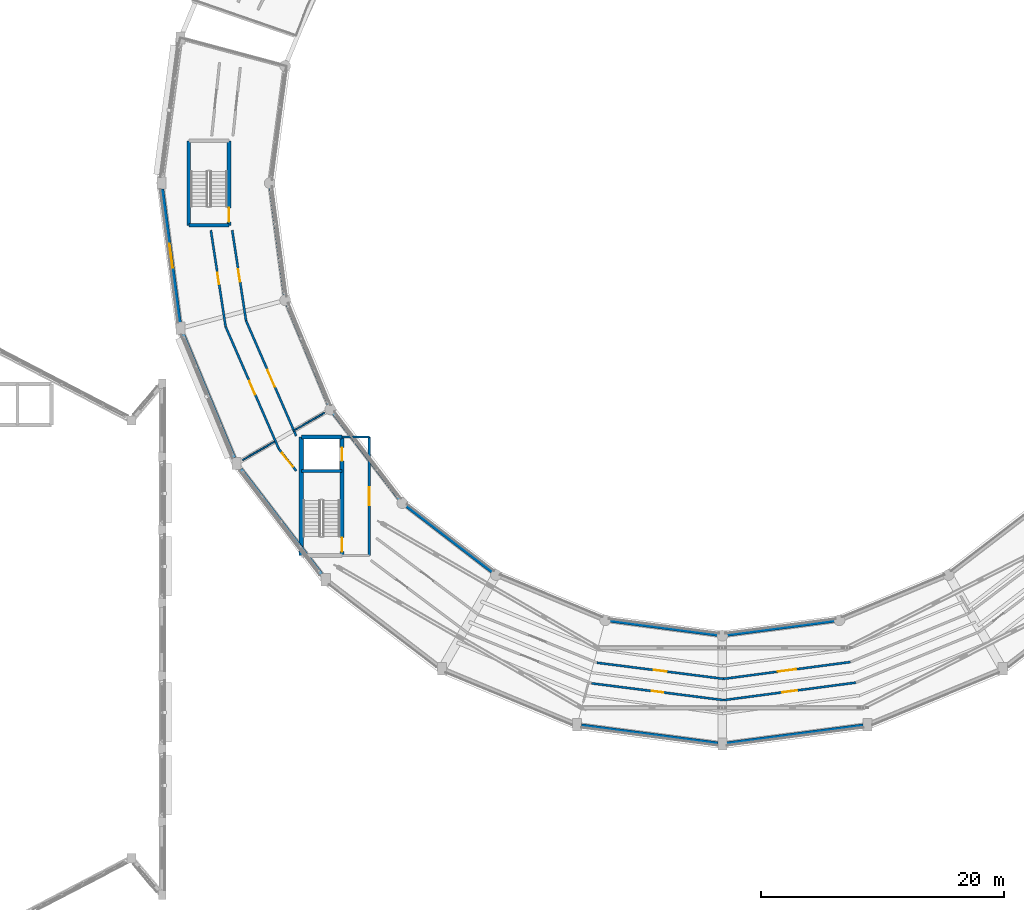
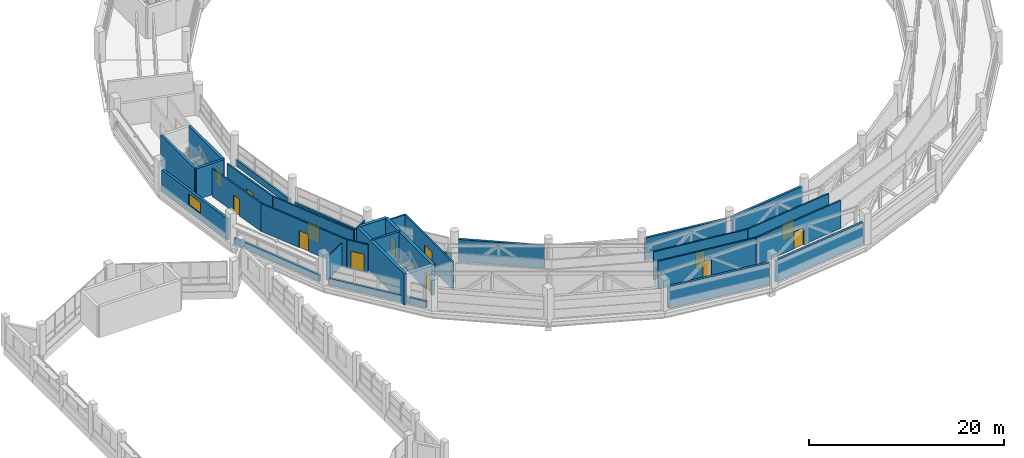
# One storey, part 101 of 121: 31 walls, 13 doors, 1 window, 14 openings.
"""IFC4 building model written with IfcOpenShell, lengths in metres."""

from ifc_helpers import new_model, si_unit, direction, frame, frame_2d, origin, place, context, subcontext, project, spatial, rectangle, extrude, material, layer, layer_set, type_object, element, fill, save


model = new_model("IFC4")

# Units and contexts
model_context = context("Model", 3, precision=1e-05, world=origin(), true_north=direction((0.0, 1.0)))
body_context = subcontext(model_context, "Body", "Model", "MODEL_VIEW")
ifc_project = project(units=[si_unit("LENGTHUNIT", "METRE"), si_unit("AREAUNIT", "SQUARE_METRE"), si_unit("VOLUMEUNIT", "CUBIC_METRE"), si_unit("PLANEANGLEUNIT", "RADIAN"), si_unit("MASSUNIT", "GRAM", prefix="KILO")], contexts=[model_context])

# Site, building, storey
site_placement = place(None, origin())
site = spatial("IfcSite", under=ifc_project, at=site_placement, CompositionType="ELEMENT")
building_placement = place(site_placement, origin())
building = spatial("IfcBuilding", under=site, at=building_placement, Name="Vespera Passage Community Centre", CompositionType="ELEMENT")
storey_placement = place(building_placement, frame((0.0, 0.0, 8.699951171875)))
storey = spatial("IfcBuildingStorey", under=building, at=storey_placement, Name="L02", CompositionType="ELEMENT", Elevation=8.699951171875)

# Wall, opening, door
ifc_material_1 = material(Name="Concrete f'c 45 MPa", Category="concrete")
ifc_layer_1 = layer(ifc_material_1, 0.300048828125)
ifc_layer_set_1 = layer_set([ifc_layer_1], Name="Concrete f'c 45 MPa")
wall_type_1 = type_object("IfcWallType", Name="WT-CORE-300I", PredefinedType="SHEAR", material=ifc_layer_set_1)
wall_1_placement = place(storey_placement, frame((37.449951171875, 68.97509765625, 0.0), z_axis=(0.0, 0.0, 1.0), x_axis=(0.0, -1.0, 0.0)))
wall_1 = element("IfcWall", 1, at=wall_1_placement, inside=storey, type_object=wall_type_1, Name="Core C2 L02 Shear Wall FRONT", PredefinedType="SHEAR", context=body_context, shape_type="SweptSolid", body=[
    extrude(rectangle(XDim=6.9501953125, YDim=0.300048828125, at=frame_2d((3.47509765625, 0.0))), origin(), (0.0, 0.0, 1.0), 3.900146484375),
])
opening_1_placement = place(wall_1_placement, frame((5.5048828125, 0.0, 0.0)))
opening_1 = element("IfcOpeningElement", 2, at=opening_1_placement, cuts=wall_1, Name="Opening DT-STAIR-90", PredefinedType="OPENING", context=body_context, shape_type="SweptSolid", body=[
    extrude(rectangle(XDim=1.14990234375, YDim=2.14990234375, at=frame_2d((0.574951171875, 1.074951171875))), frame((0.0, 0.159912109375, 0.0), z_axis=(0.0, -1.0, 0.0), x_axis=(1.0, 0.0, 0.0)), (0.0, 0.0, 1.0), 0.320068359375),
])
ifc_material_2 = material(Name="Painted hollow-metal acoustic door", Category="steel")
door_type_1 = type_object("IfcDoorType", Name="DT-STAIR-90", OperationType="NOTDEFINED", PredefinedType="DOOR", material=ifc_material_2)
door_1_placement = place(opening_1_placement, origin())
door_1 = element("IfcDoor", 3, at=door_1_placement, inside=storey, type_object=door_type_1, Name="Core C2 L02 Exit Stair Door D-067", OperationType="SINGLE_SWING_LEFT", OverallHeight=2.14990234375, OverallWidth=1.14990234375, PredefinedType="DOOR", context=body_context, shape_type="SweptSolid", body=[
    extrude(rectangle(XDim=1.14990234375, YDim=2.14990234375, at=frame_2d((0.574951171875, 1.074951171875))), frame((0.0, 0.02490234375, 0.0), z_axis=(0.0, -1.0, 0.0), x_axis=(1.0, 0.0, 0.0)), (0.0, 0.0, 1.0), 0.050048828125),
])
fill(opening_1, door_1)

# Walls
wall_2_placement = place(storey_placement, frame((37.449951171875, 62.02490234375, 0.0), z_axis=(0.0, 0.0, 1.0), x_axis=(-1.0, 0.0, 0.0)))
element("IfcWall", 4, at=wall_2_placement, inside=storey, type_object=wall_type_1, Name="Core C2 L02 Shear Wall LEFT", PredefinedType="SHEAR", context=body_context, shape_type="SweptSolid", body=[
    extrude(rectangle(XDim=3.300048828125, YDim=0.300048828125, at=frame_2d((1.64990234375, 0.0))), origin(), (0.0, 0.0, 1.0), 3.900146484375),
])
wall_3_placement = place(storey_placement, frame((34.14990234375, 62.02490234375, 0.0), z_axis=(0.0, 0.0, 1.0), x_axis=(0.0, 1.0, 0.0)))
element("IfcWall", 5, at=wall_3_placement, inside=storey, type_object=wall_type_1, Name="Core C2 L02 Shear Wall BACK", PredefinedType="SHEAR", context=body_context, shape_type="SweptSolid", body=[
    extrude(rectangle(XDim=6.9501953125, YDim=0.300048828125, at=frame_2d((3.47509765625, 0.0))), origin(), (0.0, 0.0, 1.0), 3.900146484375),
])

# Wall, openings, doors
ifc_material_3 = material(Name="Concrete f'c 45 MPa", Category="concrete")
ifc_layer_2 = layer(ifc_material_3, 0.340087890625)
ifc_layer_set_2 = layer_set([ifc_layer_2], Name="Concrete f'c 45 MPa")
wall_type_2 = type_object("IfcWallType", Name="WT-CORE-340I", PredefinedType="SHEAR", material=ifc_layer_set_2)
wall_4_placement = place(storey_placement, frame((46.73095703125, 44.6298828125, 0.0), z_axis=(0.0, 0.0, 1.0), x_axis=(0.0, -1.0, 0.0)))
wall_4 = element("IfcWall", 6, at=wall_4_placement, inside=storey, type_object=wall_type_2, Name="Core C3 L02 Shear Wall FRONT", PredefinedType="SHEAR", context=body_context, shape_type="SweptSolid", body=[
    extrude(rectangle(XDim=9.72998046875, YDim=0.340087890625, at=frame_2d((4.864990234375, 0.0))), origin(), (0.0, 0.0, 1.0), 3.900146484375),
])
opening_2_placement = place(wall_4_placement, frame((8.264892578125, 0.0, 0.0)))
opening_2 = element("IfcOpeningElement", 7, at=opening_2_placement, cuts=wall_4, Name="Opening DT-STAIR-90", PredefinedType="OPENING", context=body_context, shape_type="SweptSolid", body=[
    extrude(rectangle(XDim=1.14990234375, YDim=2.14990234375, at=frame_2d((0.574951171875, 1.074951171875))), frame((0.0, 0.179931640625, 0.0), z_axis=(0.0, -1.0, 0.0), x_axis=(1.0, 0.0, 0.0)), (0.0, 0.0, 1.0), 0.360107421875),
])
opening_3_placement = place(wall_4_placement, frame((0.8701171875, 0.0, 0.0)))
opening_3 = element("IfcOpeningElement", 8, at=opening_3_placement, cuts=wall_4, Name="Opening DT-LIFT-110", PredefinedType="OPENING", context=body_context, shape_type="SweptSolid", body=[
    extrude(rectangle(XDim=1.10009765625, YDim=2.14990234375, at=frame_2d((0.550048828125, 1.074951171875))), frame((0.0, 0.179931640625, 0.0), z_axis=(0.0, -1.0, 0.0), x_axis=(1.0, 0.0, 0.0)), (0.0, 0.0, 1.0), 0.360107421875),
])
ifc_material_4 = material(Name="Painted hollow-metal acoustic door", Category="steel")
door_type_2 = type_object("IfcDoorType", Name="DT-LIFT-110", OperationType="NOTDEFINED", PredefinedType="DOOR", material=ifc_material_4)
door_2_placement = place(opening_3_placement, origin())
door_2 = element("IfcDoor", 9, at=door_2_placement, inside=storey, type_object=door_type_2, Name="Elevator EL-01 L02 Landing Door LD-012", OperationType="SLIDING_TO_LEFT", OverallHeight=2.14990234375, OverallWidth=1.10009765625, PredefinedType="DOOR", context=body_context, shape_type="SweptSolid", body=[
    extrude(rectangle(XDim=1.10009765625, YDim=2.14990234375, at=frame_2d((0.550048828125, 1.074951171875))), frame((0.0, 0.02490234375, 0.0), z_axis=(0.0, -1.0, 0.0), x_axis=(1.0, 0.0, 0.0)), (0.0, 0.0, 1.0), 0.050048828125),
])
fill(opening_3, door_2)
door_3_placement = place(opening_2_placement, origin())
door_3 = element("IfcDoor", 10, at=door_3_placement, inside=storey, type_object=door_type_1, Name="Core C3 L02 Exit Stair Door D-078", OperationType="SINGLE_SWING_RIGHT", OverallHeight=2.14990234375, OverallWidth=1.14990234375, PredefinedType="DOOR", context=body_context, shape_type="SweptSolid", body=[
    extrude(rectangle(XDim=1.14990234375, YDim=2.14990234375, at=frame_2d((0.574951171875, 1.074951171875))), frame((0.0, 0.02490234375, 0.0), z_axis=(0.0, -1.0, 0.0), x_axis=(1.0, 0.0, 0.0)), (0.0, 0.0, 1.0), 0.050048828125),
])
fill(opening_2, door_3)

# Walls
wall_5_placement = place(storey_placement, frame((43.39111328125, 34.89990234375, 0.0), z_axis=(0.0, 0.0, 1.0), x_axis=(0.0, 1.0, 0.0)))
element("IfcWall", 11, at=wall_5_placement, inside=storey, type_object=wall_type_2, Name="Core C3 L02 Shear Wall BACK", PredefinedType="SHEAR", context=body_context, shape_type="SweptSolid", body=[
    extrude(rectangle(XDim=9.72998046875, YDim=0.340087890625, at=frame_2d((4.864990234375, 0.0))), origin(), (0.0, 0.0, 1.0), 3.900146484375),
])
wall_6_placement = place(storey_placement, frame((43.39111328125, 44.6298828125, 0.0), z_axis=(0.0, 0.0, 1.0), x_axis=(1.0, 0.0, 0.0)))
element("IfcWall", 12, at=wall_6_placement, inside=storey, type_object=wall_type_2, Name="Core C3 L02 Shear Wall RIGHT", PredefinedType="SHEAR", context=body_context, shape_type="SweptSolid", body=[
    extrude(rectangle(XDim=3.33984375, YDim=0.340087890625, at=frame_2d((1.669921875, 0.0))), origin(), (0.0, 0.0, 1.0), 3.900146484375),
])

# Wall, opening, door
ifc_material_5 = material(Name="Gypsum board acoustic stud partition")
ifc_layer_3 = layer(ifc_material_5, 0.179931640625)
ifc_layer_set_3 = layer_set([ifc_layer_3], Name="Gypsum board acoustic stud partition")
wall_type_3 = type_object("IfcWallType", Name="WT-CORR-180I", PredefinedType="PARTITIONING", material=ifc_layer_set_3)
wall_7_placement = place(storey_placement, frame((48.98095703125, 34.89990234375, 0.0), z_axis=(0.0, 0.0, 1.0), x_axis=(0.0, 1.0, 0.0)))
wall_7 = element("IfcWall", 13, at=wall_7_placement, inside=storey, type_object=wall_type_3, Name="Core C3 L02 Lift Lobby Front Wall", PredefinedType="PARTITIONING", context=body_context, shape_type="SweptSolid", body=[
    extrude(rectangle(XDim=9.72998046875, YDim=0.179931640625, at=frame_2d((4.864990234375, 0.0))), origin(), (0.0, 0.0, 1.0), 3.4951171875),
])
opening_4_placement = place(wall_7_placement, frame((4.114990234375, 0.0, 0.0)))
opening_4 = element("IfcOpeningElement", 14, at=opening_4_placement, cuts=wall_7, Name="Opening DT-CORR-150", PredefinedType="OPENING", context=body_context, shape_type="SweptSolid", body=[
    extrude(rectangle(XDim=1.5, YDim=2.14990234375, at=frame_2d((0.75, 1.074951171875))), frame((0.0, 0.099853515625, 0.0), z_axis=(0.0, -1.0, 0.0), x_axis=(1.0, 0.0, 0.0)), (0.0, 0.0, 1.0), 0.199951171875),
])
ifc_material_6 = material(Name="Painted hollow-metal acoustic door", Category="steel")
door_type_3 = type_object("IfcDoorType", Name="DT-CORR-150", OperationType="NOTDEFINED", PredefinedType="DOOR", material=ifc_material_6)
door_4_placement = place(opening_4_placement, origin())
door_4 = element("IfcDoor", 15, at=door_4_placement, inside=storey, type_object=door_type_3, Name="Core C3 L02 Lift Lobby Door D-079", OperationType="SINGLE_SWING_LEFT", OverallHeight=2.14990234375, OverallWidth=1.5, PredefinedType="DOOR", context=body_context, shape_type="SweptSolid", body=[
    extrude(rectangle(XDim=1.5, YDim=2.14990234375, at=frame_2d((0.75, 1.074951171875))), frame((0.0, 0.02490234375, 0.0), z_axis=(0.0, -1.0, 0.0), x_axis=(1.0, 0.0, 0.0)), (0.0, 0.0, 1.0), 0.050048828125),
])
fill(opening_4, door_4)

# Wall
wall_8_placement = place(storey_placement, frame((46.73095703125, 44.6298828125, 0.0), z_axis=(0.0, 0.0, 1.0), x_axis=(1.0, 0.0, 0.0)))
element("IfcWall", 16, at=wall_8_placement, inside=storey, type_object=wall_type_3, Name="Core C3 L02 Lift Lobby Side Wall R", PredefinedType="PARTITIONING", context=body_context, shape_type="SweptSolid", body=[
    extrude(rectangle(XDim=2.25, YDim=0.179931640625, at=frame_2d((1.125, 0.0))), origin(), (0.0, 0.0, 1.0), 3.4951171875),
])

# Wall, opening, door
wall_9_placement = place(storey_placement, frame((35.956298828125, 61.625, 0.0), z_axis=(0.0, 0.0, 1.0), x_axis=(0.151461983826, -0.988463083507, 0.0)))
wall_9 = element("IfcWall", 17, at=wall_9_placement, inside=storey, type_object=wall_type_3, Name="L02 Interior Partition V4-L02-CO13.1", PredefinedType="PARTITIONING", context=body_context, shape_type="SweptSolid", body=[
    extrude(rectangle(XDim=8.014404296875, YDim=0.179931640625, at=frame_2d((4.00732421875, 0.0))), origin(), (0.0, 0.0, 1.0), 3.4951171875),
])
opening_5_placement = place(wall_9_placement, frame((3.531982421875, 0.0, 0.0)))
opening_5 = element("IfcOpeningElement", 18, at=opening_5_placement, cuts=wall_9, Name="Opening DT-CORR-95", PredefinedType="OPENING", context=body_context, shape_type="SweptSolid", body=[
    extrude(rectangle(XDim=0.949951171875, YDim=2.10009765625, at=frame_2d((0.47509765625, 1.050048828125))), frame((0.0, 0.099853515625, 0.0), z_axis=(0.0, -1.0, 0.0), x_axis=(1.0, 0.0, 0.0)), (0.0, 0.0, 1.0), 0.199951171875),
])
ifc_material_7 = material(Name="Painted hollow-metal acoustic door", Category="steel")
door_type_4 = type_object("IfcDoorType", Name="DT-CORR-95", OperationType="NOTDEFINED", PredefinedType="DOOR", material=ifc_material_7)
door_5_placement = place(opening_5_placement, origin())
door_5 = element("IfcDoor", 19, at=door_5_placement, inside=storey, type_object=door_type_4, Name="L02 Interior Door D-203", OperationType="SINGLE_SWING_LEFT", OverallHeight=2.10009765625, OverallWidth=0.949951171875, PredefinedType="DOOR", context=body_context, shape_type="SweptSolid", body=[
    extrude(rectangle(XDim=0.949951171875, YDim=2.10009765625, at=frame_2d((0.47509765625, 1.050048828125))), frame((0.0, 0.02490234375, 0.0), z_axis=(0.0, -1.0, 0.0), x_axis=(1.0, 0.0, 0.0)), (0.0, 0.0, 1.0), 0.050048828125),
])
fill(opening_5, door_5)

wall_10_placement = place(storey_placement, frame((37.7119140625, 61.625, 0.0), z_axis=(0.0, 0.0, 1.0), x_axis=(0.151459677587, -0.988463436888, 0.0)))
wall_10 = element("IfcWall", 20, at=wall_10_placement, inside=storey, type_object=wall_type_3, Name="L02 Interior Partition V4-L02-CI13.1", PredefinedType="PARTITIONING", context=body_context, shape_type="SweptSolid", body=[
    extrude(rectangle(XDim=7.522705078125, YDim=0.179931640625, at=frame_2d((3.76123046875, 0.0))), origin(), (0.0, 0.0, 1.0), 3.4951171875),
])
opening_6_placement = place(wall_10_placement, frame((3.236328125, 0.0, 0.0)))
opening_6 = element("IfcOpeningElement", 21, at=opening_6_placement, cuts=wall_10, Name="Opening DT-CORR-105", PredefinedType="OPENING", context=body_context, shape_type="SweptSolid", body=[
    extrude(rectangle(XDim=1.050048828125, YDim=2.10009765625, at=frame_2d((0.52490234375, 1.050048828125))), frame((0.0, 0.099853515625, 0.0), z_axis=(0.0, -1.0, 0.0), x_axis=(1.0, 0.0, 0.0)), (0.0, 0.0, 1.0), 0.199951171875),
])
ifc_material_8 = material(Name="Painted hollow-metal acoustic door", Category="steel")
door_type_5 = type_object("IfcDoorType", Name="DT-CORR-105", OperationType="NOTDEFINED", PredefinedType="DOOR", material=ifc_material_8)
door_6_placement = place(opening_6_placement, origin())
door_6 = element("IfcDoor", 22, at=door_6_placement, inside=storey, type_object=door_type_5, Name="L02 Interior Door D-204", OperationType="SINGLE_SWING_RIGHT", OverallHeight=2.10009765625, OverallWidth=1.050048828125, PredefinedType="DOOR", context=body_context, shape_type="SweptSolid", body=[
    extrude(rectangle(XDim=1.050048828125, YDim=2.10009765625, at=frame_2d((0.52490234375, 1.050048828125))), frame((0.0, 0.02490234375, 0.0), z_axis=(0.0, -1.0, 0.0), x_axis=(1.0, 0.0, 0.0)), (0.0, 0.0, 1.0), 0.050048828125),
])
fill(opening_6, door_6)

wall_11_placement = place(storey_placement, frame((37.170166015625, 53.703125, 0.0), z_axis=(0.0, 0.0, 1.0), x_axis=(0.399051288183, -0.91692860649, 0.0)))
wall_11 = element("IfcWall", 23, at=wall_11_placement, inside=storey, type_object=wall_type_3, Name="L02 Interior Partition V4-L02-CO14.1", PredefinedType="PARTITIONING", context=body_context, shape_type="SweptSolid", body=[
    extrude(rectangle(XDim=10.953125, YDim=0.179931640625, at=frame_2d((5.4765625, 0.0))), origin(), (0.0, 0.0, 1.0), 3.4951171875),
])
opening_7_placement = place(wall_11_placement, frame((4.876708984375, 0.0, 0.0)))
opening_7 = element("IfcOpeningElement", 24, at=opening_7_placement, cuts=wall_11, Name="Opening DT-CORR-120", PredefinedType="OPENING", context=body_context, shape_type="SweptSolid", body=[
    extrude(rectangle(XDim=1.199951171875, YDim=2.14990234375, at=frame_2d((0.60009765625, 1.074951171875))), frame((0.0, 0.099853515625, 0.0), z_axis=(0.0, -1.0, 0.0), x_axis=(1.0, 0.0, 0.0)), (0.0, 0.0, 1.0), 0.199951171875),
])
ifc_material_9 = material(Name="Painted hollow-metal acoustic door", Category="steel")
door_type_6 = type_object("IfcDoorType", Name="DT-CORR-120", OperationType="NOTDEFINED", PredefinedType="DOOR", material=ifc_material_9)
door_7_placement = place(opening_7_placement, origin())
door_7 = element("IfcDoor", 25, at=door_7_placement, inside=storey, type_object=door_type_6, Name="L02 Interior Door D-205", OperationType="SINGLE_SWING_LEFT", OverallHeight=2.14990234375, OverallWidth=1.199951171875, PredefinedType="DOOR", context=body_context, shape_type="SweptSolid", body=[
    extrude(rectangle(XDim=1.199951171875, YDim=2.14990234375, at=frame_2d((0.60009765625, 1.074951171875))), frame((0.0, 0.02490234375, 0.0), z_axis=(0.0, -1.0, 0.0), x_axis=(1.0, 0.0, 0.0)), (0.0, 0.0, 1.0), 0.050048828125),
])
fill(opening_7, door_7)

wall_12_placement = place(storey_placement, frame((38.851318359375, 54.18896484375, 0.0), z_axis=(0.0, 0.0, 1.0), x_axis=(0.399047769042, -0.916930138027, 0.0)))
wall_12 = element("IfcWall", 26, at=wall_12_placement, inside=storey, type_object=wall_type_3, Name="L02 Interior Partition V4-L02-CI14.1", PredefinedType="PARTITIONING", context=body_context, shape_type="SweptSolid", body=[
    extrude(rectangle(XDim=10.32373046875, YDim=0.179931640625, at=frame_2d((5.161865234375, 0.0))), origin(), (0.0, 0.0, 1.0), 3.4951171875),
])
opening_8_placement = place(wall_12_placement, frame((4.411865234375, 0.0, 0.0)))
opening_8 = element("IfcOpeningElement", 27, at=opening_8_placement, cuts=wall_12, Name="Opening DT-CORR-150", PredefinedType="OPENING", context=body_context, shape_type="SweptSolid", body=[
    extrude(rectangle(XDim=1.5, YDim=2.14990234375, at=frame_2d((0.75, 1.074951171875))), frame((0.0, 0.099853515625, 0.0), z_axis=(0.0, -1.0, 0.0), x_axis=(1.0, 0.0, 0.0)), (0.0, 0.0, 1.0), 0.199951171875),
])
door_8_placement = place(opening_8_placement, origin())
door_8 = element("IfcDoor", 28, at=door_8_placement, inside=storey, type_object=door_type_3, Name="L02 Interior Door D-206", OperationType="SINGLE_SWING_RIGHT", OverallHeight=2.14990234375, OverallWidth=1.5, PredefinedType="DOOR", context=body_context, shape_type="SweptSolid", body=[
    extrude(rectangle(XDim=1.5, YDim=2.14990234375, at=frame_2d((0.75, 1.074951171875))), frame((0.0, 0.02490234375, 0.0), z_axis=(0.0, -1.0, 0.0), x_axis=(1.0, 0.0, 0.0)), (0.0, 0.0, 1.0), 0.050048828125),
])
fill(opening_8, door_8)

wall_13_placement = place(storey_placement, frame((41.541015625, 43.659912109375, 0.0), z_axis=(0.0, 0.0, 1.0), x_axis=(0.620100740375, -0.784522193304, 0.0)))
wall_13 = element("IfcWall", 29, at=wall_13_placement, inside=storey, type_object=wall_type_3, Name="L02 Interior Partition V4-L02-CO15.1", PredefinedType="PARTITIONING", context=body_context, shape_type="SweptSolid", body=[
    extrude(rectangle(XDim=2.305908203125, YDim=0.179931640625, at=frame_2d((1.15283203125, 0.0))), origin(), (0.0, 0.0, 1.0), 3.4951171875),
])
opening_9_placement = place(wall_13_placement, frame((0.427978515625, 0.0, 0.0)))
opening_9 = element("IfcOpeningElement", 30, at=opening_9_placement, cuts=wall_13, Name="Opening DT-PLANT-145", PredefinedType="OPENING", context=body_context, shape_type="SweptSolid", body=[
    extrude(rectangle(XDim=1.449951171875, YDim=2.199951171875, at=frame_2d((0.72509765625, 1.10009765625))), frame((0.0, 0.099853515625, 0.0), z_axis=(0.0, -1.0, 0.0), x_axis=(1.0, 0.0, 0.0)), (0.0, 0.0, 1.0), 0.199951171875),
])
ifc_material_10 = material(Name="Painted hollow-metal acoustic door", Category="steel")
door_type_7 = type_object("IfcDoorType", Name="DT-PLANT-145", OperationType="NOTDEFINED", PredefinedType="DOOR", material=ifc_material_10)
door_9_placement = place(opening_9_placement, origin())
door_9 = element("IfcDoor", 31, at=door_9_placement, inside=storey, type_object=door_type_7, Name="L02 Interior Door D-207", OperationType="SINGLE_SWING_LEFT", OverallHeight=2.199951171875, OverallWidth=1.449951171875, PredefinedType="DOOR", context=body_context, shape_type="SweptSolid", body=[
    extrude(rectangle(XDim=1.449951171875, YDim=2.199951171875, at=frame_2d((0.72509765625, 1.10009765625))), frame((0.0, 0.02490234375, 0.0), z_axis=(0.0, -1.0, 0.0), x_axis=(1.0, 0.0, 0.0)), (0.0, 0.0, 1.0), 0.050048828125),
])
fill(opening_9, door_9)

wall_14_placement = place(storey_placement, frame((67.248291015625, 24.38232421875, 0.0), z_axis=(0.0, 0.0, 1.0), x_axis=(0.992007400361, -0.126179703713, 0.0)))
wall_14 = element("IfcWall", 32, at=wall_14_placement, inside=storey, type_object=wall_type_3, Name="L02 Interior Partition V4-L02-CO18.1", PredefinedType="PARTITIONING", context=body_context, shape_type="SweptSolid", body=[
    extrude(rectangle(XDim=10.953369140625, YDim=0.179931640625, at=frame_2d((5.4765625, 0.0))), origin(), (0.0, 0.0, 1.0), 3.4951171875),
])
opening_10_placement = place(wall_14_placement, frame((5.001708984375, 0.0, 0.0)))
opening_10 = element("IfcOpeningElement", 33, at=opening_10_placement, cuts=wall_14, Name="Opening DT-CORR-95", PredefinedType="OPENING", context=body_context, shape_type="SweptSolid", body=[
    extrude(rectangle(XDim=0.949951171875, YDim=2.10009765625, at=frame_2d((0.47509765625, 1.050048828125))), frame((0.0, 0.099853515625, 0.0), z_axis=(0.0, -1.0, 0.0), x_axis=(1.0, 0.0, 0.0)), (0.0, 0.0, 1.0), 0.199951171875),
])
door_10_placement = place(opening_10_placement, origin())
door_10 = element("IfcDoor", 34, at=door_10_placement, inside=storey, type_object=door_type_4, Name="L02 Interior Door D-212", OperationType="SINGLE_SWING_RIGHT", OverallHeight=2.10009765625, OverallWidth=0.949951171875, PredefinedType="DOOR", context=body_context, shape_type="SweptSolid", body=[
    extrude(rectangle(XDim=0.949951171875, YDim=2.10009765625, at=frame_2d((0.47509765625, 1.050048828125))), frame((0.0, 0.02490234375, 0.0), z_axis=(0.0, -1.0, 0.0), x_axis=(1.0, 0.0, 0.0)), (0.0, 0.0, 1.0), 0.050048828125),
])
fill(opening_10, door_10)

wall_15_placement = place(storey_placement, frame((67.691162109375, 26.075439453125, 0.0), z_axis=(0.0, 0.0, 1.0), x_axis=(0.992004051173, -0.126206031772, 0.0)))
wall_15 = element("IfcWall", 35, at=wall_15_placement, inside=storey, type_object=wall_type_3, Name="L02 Interior Partition V4-L02-CI18.1", PredefinedType="PARTITIONING", context=body_context, shape_type="SweptSolid", body=[
    extrude(rectangle(XDim=10.502197265625, YDim=0.179931640625, at=frame_2d((5.2509765625, 0.0))), origin(), (0.0, 0.0, 1.0), 3.4951171875),
])
opening_11_placement = place(wall_15_placement, frame((4.72607421875, 0.0, 0.0)))
opening_11 = element("IfcOpeningElement", 36, at=opening_11_placement, cuts=wall_15, Name="Opening DT-CORR-105", PredefinedType="OPENING", context=body_context, shape_type="SweptSolid", body=[
    extrude(rectangle(XDim=1.050048828125, YDim=2.10009765625, at=frame_2d((0.52490234375, 1.050048828125))), frame((0.0, 0.099853515625, 0.0), z_axis=(0.0, -1.0, 0.0), x_axis=(1.0, 0.0, 0.0)), (0.0, 0.0, 1.0), 0.199951171875),
])
door_11_placement = place(opening_11_placement, origin())
door_11 = element("IfcDoor", 37, at=door_11_placement, inside=storey, type_object=door_type_5, Name="L02 Interior Door D-213", OperationType="SINGLE_SWING_LEFT", OverallHeight=2.10009765625, OverallWidth=1.050048828125, PredefinedType="DOOR", context=body_context, shape_type="SweptSolid", body=[
    extrude(rectangle(XDim=1.050048828125, YDim=2.10009765625, at=frame_2d((0.52490234375, 1.050048828125))), frame((0.0, 0.02490234375, 0.0), z_axis=(0.0, -1.0, 0.0), x_axis=(1.0, 0.0, 0.0)), (0.0, 0.0, 1.0), 0.050048828125),
])
fill(opening_11, door_11)

wall_16_placement = place(storey_placement, frame((78.114013671875, 23.000244140625, 0.0), z_axis=(0.0, 0.0, 1.0), x_axis=(0.991312376735, 0.13152859663, 0.0)))
wall_16 = element("IfcWall", 38, at=wall_16_placement, inside=storey, type_object=wall_type_3, Name="L02 Interior Partition V4-L02-CO19.1", PredefinedType="PARTITIONING", context=body_context, shape_type="SweptSolid", body=[
    extrude(rectangle(XDim=10.953369140625, YDim=0.179931640625, at=frame_2d((5.4765625, 0.0))), origin(), (0.0, 0.0, 1.0), 3.4951171875),
])
opening_12_placement = place(wall_16_placement, frame((4.876708984375, 0.0, 0.0)))
opening_12 = element("IfcOpeningElement", 39, at=opening_12_placement, cuts=wall_16, Name="Opening DT-CORR-120", PredefinedType="OPENING", context=body_context, shape_type="SweptSolid", body=[
    extrude(rectangle(XDim=1.199951171875, YDim=2.14990234375, at=frame_2d((0.60009765625, 1.074951171875))), frame((0.0, 0.099853515625, 0.0), z_axis=(0.0, -1.0, 0.0), x_axis=(1.0, 0.0, 0.0)), (0.0, 0.0, 1.0), 0.199951171875),
])
door_12_placement = place(opening_12_placement, origin())
door_12 = element("IfcDoor", 40, at=door_12_placement, inside=storey, type_object=door_type_6, Name="L02 Interior Door D-214", OperationType="SINGLE_SWING_RIGHT", OverallHeight=2.14990234375, OverallWidth=1.199951171875, PredefinedType="DOOR", context=body_context, shape_type="SweptSolid", body=[
    extrude(rectangle(XDim=1.199951171875, YDim=2.14990234375, at=frame_2d((0.60009765625, 1.074951171875))), frame((0.0, 0.02490234375, 0.0), z_axis=(0.0, -1.0, 0.0), x_axis=(1.0, 0.0, 0.0)), (0.0, 0.0, 1.0), 0.050048828125),
])
fill(opening_12, door_12)

wall_17_placement = place(storey_placement, frame((78.109375, 24.75, 0.0), z_axis=(0.0, 0.0, 1.0), x_axis=(0.991309529126, 0.131550056874, 0.0)))
wall_17 = element("IfcWall", 41, at=wall_17_placement, inside=storey, type_object=wall_type_3, Name="L02 Interior Partition V4-L02-CI19.1", PredefinedType="PARTITIONING", context=body_context, shape_type="SweptSolid", body=[
    extrude(rectangle(XDim=10.50244140625, YDim=0.179931640625, at=frame_2d((5.251220703125, 0.0))), origin(), (0.0, 0.0, 1.0), 3.4951171875),
])
opening_13_placement = place(wall_17_placement, frame((4.501220703125, 0.0, 0.0)))
opening_13 = element("IfcOpeningElement", 42, at=opening_13_placement, cuts=wall_17, Name="Opening DT-CORR-150", PredefinedType="OPENING", context=body_context, shape_type="SweptSolid", body=[
    extrude(rectangle(XDim=1.5, YDim=2.14990234375, at=frame_2d((0.75, 1.074951171875))), frame((0.0, 0.099853515625, 0.0), z_axis=(0.0, -1.0, 0.0), x_axis=(1.0, 0.0, 0.0)), (0.0, 0.0, 1.0), 0.199951171875),
])
door_13_placement = place(opening_13_placement, origin())
door_13 = element("IfcDoor", 43, at=door_13_placement, inside=storey, type_object=door_type_3, Name="L02 Interior Door D-215", OperationType="SINGLE_SWING_LEFT", OverallHeight=2.14990234375, OverallWidth=1.5, PredefinedType="DOOR", context=body_context, shape_type="SweptSolid", body=[
    extrude(rectangle(XDim=1.5, YDim=2.14990234375, at=frame_2d((0.75, 1.074951171875))), frame((0.0, 0.02490234375, 0.0), z_axis=(0.0, -1.0, 0.0), x_axis=(1.0, 0.0, 0.0)), (0.0, 0.0, 1.0), 0.050048828125),
])
fill(opening_13, door_13)

# Walls
ifc_material_11 = material(Name="Concrete f'c 45 MPa", Category="concrete")
ifc_layer_4 = layer(ifc_material_11, 0.239990234375)
ifc_layer_set_4 = layer_set([ifc_layer_4], Name="Concrete f'c 45 MPa")
wall_type_4 = type_object("IfcWallType", Name="WT-DIV-240I", PredefinedType="SHEAR", material=ifc_layer_set_4)
wall_18_placement = place(storey_placement, frame((46.73095703125, 41.840087890625, 0.0), z_axis=(0.0, 0.0, 1.0), x_axis=(-1.0, 0.0, 0.0)))
element("IfcWall", 44, at=wall_18_placement, inside=storey, type_object=wall_type_4, Name="Core C3 L02 Hoistway Divider Wall", PredefinedType="SHEAR", context=body_context, shape_type="SweptSolid", body=[
    extrude(rectangle(XDim=3.33984375, YDim=0.239990234375, at=frame_2d((1.669921875, 0.0))), origin(), (0.0, 0.0, 1.0), 3.900146484375),
])
ifc_material_12 = material(Name="Precast concrete f'c 40 MPa", Category="concrete")
ifc_layer_5 = layer(ifc_material_12, 0.25)
ifc_layer_set_5 = layer_set([ifc_layer_5], Name="Precast concrete f'c 40 MPa")
wall_type_5 = type_object("IfcWallType", Name="WT-EXT-250E", PredefinedType="STANDARD", material=ifc_layer_set_5)
wall_19_placement = place(storey_placement, frame((40.836181640625, 65.224853515625, 0.0), z_axis=(0.0, 0.0, 1.0), x_axis=(0.130549698469, -0.991441766434, 0.0)))
element("IfcWall", 45, at=wall_19_placement, inside=storey, type_object=wall_type_5, Name="V4 L02 Court Spandrel Wall I12", PredefinedType="STANDARD", context=body_context, shape_type="SweptSolid", body=[
    extrude(rectangle(XDim=9.156005859375, YDim=0.25, at=frame_2d((4.578125, 0.0))), origin(), (0.0, 0.0, 1.0), 0.820068359375),
])
wall_20_placement = place(storey_placement, frame((42.182373046875, 55.594970703125, 0.0), z_axis=(0.0, 0.0, 1.0), x_axis=(0.382681519675, -0.923880324771, 0.0)))
element("IfcWall", 46, at=wall_20_placement, inside=storey, type_object=wall_type_5, Name="V4 L02 Court Spandrel Wall I13", PredefinedType="STANDARD", context=body_context, shape_type="SweptSolid", body=[
    extrude(rectangle(XDim=9.111572265625, YDim=0.25, at=frame_2d((4.5556640625, 0.0))), origin(), (0.0, 0.0, 1.0), 0.820068359375),
])
wall_21_placement = place(storey_placement, frame((45.998779296875, 46.619873046875, 0.0), z_axis=(0.0, 0.0, 1.0), x_axis=(0.608769580289, -0.793347085527, 0.0)))
element("IfcWall", 47, at=wall_21_placement, inside=storey, type_object=wall_type_5, Name="V4 L02 Court Spandrel Wall I14", PredefinedType="STANDARD", context=body_context, shape_type="SweptSolid", body=[
    extrude(rectangle(XDim=9.0048828125, YDim=0.25, at=frame_2d((4.50244140625, 0.0))), origin(), (0.0, 0.0, 1.0), 0.820068359375),
])
wall_22_placement = place(storey_placement, frame((51.975830078125, 38.980712890625, 0.0), z_axis=(0.0, 0.0, 1.0), x_axis=(0.793347085527, -0.608769580289, 0.0)))
element("IfcWall", 48, at=wall_22_placement, inside=storey, type_object=wall_type_5, Name="V4 L02 Inner Court Precast Wall 15", PredefinedType="STANDARD", context=body_context, shape_type="SweptSolid", body=[
    extrude(rectangle(XDim=9.0048828125, YDim=0.25, at=frame_2d((4.50244140625, 0.0))), origin(), (0.0, 0.0, 1.0), 2.78955078125),
])
for number, where, z_axis, x_axis, name in (
    (49, (68.647216796875, 29.531494140625, 0.0), (0.0, 0.0, 1.0), (0.991441766434, -0.130549698469, 0.0), "V4 L02 Inner Court Precast Wall 17"),
    (50, (78.275146484375, 28.336181640625, 0.0), (0.0, 0.0, 1.0), (0.991441766434, 0.130549698469, 0.0), "V4 L02 Inner Court Precast Wall 18"),
):
    element("IfcWall", number, at=place(storey_placement, frame(where, z_axis=z_axis, x_axis=x_axis)), inside=storey, type_object=wall_type_5, Name=name, PredefinedType="STANDARD", context=body_context, shape_type="SweptSolid", body=[
        extrude(rectangle(XDim=9.156005859375, YDim=0.25, at=frame_2d((4.578125, 0.0))), origin(), (0.0, 0.0, 1.0), 2.78955078125),
    ])

# Wall, opening, window
ifc_material_13 = material(Name="Precast concrete f'c 40 MPa", Category="concrete")
ifc_layer_6 = layer(ifc_material_13, 0.280029296875)
ifc_layer_set_6 = layer_set([ifc_layer_6], Name="Precast concrete f'c 40 MPa")
wall_type_6 = type_object("IfcWallType", Name="WT-EXT-280E", PredefinedType="STANDARD", material=ifc_layer_set_6)
wall_23_placement = place(storey_placement, frame((33.408203125, 54.043701171875, 0.0), z_axis=(0.0, 0.0, 1.0), x_axis=(-0.130513242145, 0.991446566197, 0.0)))
wall_23 = element("IfcWall", 51, at=wall_23_placement, inside=storey, type_object=wall_type_6, Name="V4 L02 Outer Precast Wall 12", PredefinedType="STANDARD", context=body_context, shape_type="SweptSolid", body=[
    extrude(rectangle(XDim=11.075927734375, YDim=0.280029296875, at=frame_2d((5.5380859375, 0.0))), origin(), (0.0, 0.0, 1.0), 2.70556640625),
])
opening_14_placement = place(wall_23_placement, frame((4.5380859375, 0.0, 0.85009765625)))
opening_14 = element("IfcOpeningElement", 52, at=opening_14_placement, cuts=wall_23, Name="Opening WN-07E", PredefinedType="OPENING", context=body_context, shape_type="SweptSolid", body=[
    extrude(rectangle(XDim=2.0, YDim=1.39990234375, at=frame_2d((1.0, 0.699951171875))), frame((0.0, 0.150146484375, 0.0), z_axis=(0.0, -1.0, 0.0), x_axis=(1.0, 0.0, 0.0)), (0.0, 0.0, 1.0), 0.300048828125),
])
ifc_material_14 = material(Name="Low-E insulated vision glass", Category="glass")
window_type = type_object("IfcWindowType", Name="WN-07E", PartitioningType="SINGLE_PANEL", PredefinedType="WINDOW", material=ifc_material_14)
window_placement = place(opening_14_placement, origin())
window = element("IfcWindow", 53, at=window_placement, inside=storey, type_object=window_type, Name="Window WN-V4-L02-O12", OverallHeight=1.39990234375, OverallWidth=2.0, PartitioningType="SINGLE_PANEL", PredefinedType="WINDOW", context=body_context, shape_type="SweptSolid", body=[
    extrude(rectangle(XDim=2.0, YDim=1.39990234375, at=frame_2d((1.0, 0.699951171875))), frame((0.0, 0.030029296875, 0.0), z_axis=(0.0, -1.0, 0.0), x_axis=(1.0, 0.0, 0.0)), (0.0, 0.0, 1.0), 0.06005859375),
])
fill(opening_14, window)

# Walls
wall_24_placement = place(storey_placement, frame((37.878662109375, 42.927001953125, 0.0), z_axis=(0.0, 0.0, 1.0), x_axis=(-0.382695413149, 0.923874569817, 0.0)))
element("IfcWall", 54, at=wall_24_placement, inside=storey, type_object=wall_type_6, Name="V4 L02 Spandrel Wall O13", PredefinedType="STANDARD", context=body_context, shape_type="SweptSolid", body=[
    extrude(rectangle(XDim=11.002197265625, YDim=0.280029296875, at=frame_2d((5.5009765625, 0.0))), origin(), (0.0, 0.0, 1.0), 0.820068359375),
])
wall_25_placement = place(storey_placement, frame((45.04248046875, 33.371337890625, 0.0), z_axis=(0.0, 0.0, 1.0), x_axis=(-0.608753590889, 0.79335935463, 0.0)))
element("IfcWall", 55, at=wall_25_placement, inside=storey, type_object=wall_type_6, Name="V4 L02 Spandrel Wall O14", PredefinedType="STANDARD", context=body_context, shape_type="SweptSolid", body=[
    extrude(rectangle(XDim=10.852294921875, YDim=0.280029296875, at=frame_2d((5.42626953125, 0.0))), origin(), (0.0, 0.0, 1.0), 0.820068359375),
])
for number, where, z_axis, x_axis, name in (
    (56, (77.64990234375, 19.446044921875, 0.0), (0.0, 0.0, 1.0), (-0.991443215359, 0.130538694334, 0.0), "V4 L02 Outer Precast Wall 17"),
    (57, (89.581298828125, 20.9248046875, 0.0), (0.0, 0.0, 1.0), (-0.991443215359, -0.130538694334, 0.0), "V4 L02 Outer Precast Wall 18"),
):
    element("IfcWall", number, at=place(storey_placement, frame(where, z_axis=z_axis, x_axis=x_axis)), inside=storey, type_object=wall_type_6, Name=name, PredefinedType="STANDARD", context=body_context, shape_type="SweptSolid", body=[
        extrude(rectangle(XDim=11.328125, YDim=0.280029296875, at=frame_2d((5.6640625, 0.0))), origin(), (0.0, 0.0, 1.0), 2.70556640625),
    ])
ifc_material_15 = material(Name="Moisture-resistant gypsum stud partition")
ifc_layer_7 = layer(ifc_material_15, 0.1201171875)
ifc_layer_set_7 = layer_set([ifc_layer_7], Name="Moisture-resistant gypsum stud partition")
wall_type_7 = type_object("IfcWallType", Name="WT-WET-120I", PredefinedType="PARTITIONING", material=ifc_layer_set_7)
wall_26_placement = place(storey_placement, frame((41.19384765625, 44.25, 0.0), z_axis=(0.0, 0.0, 1.0), x_axis=(-0.866037623948, -0.499978833458, 0.0)))
element("IfcWall", 58, at=wall_26_placement, inside=storey, type_object=wall_type_7, Name="L02 Interior Partition V4-L02-RO24-1.1", PredefinedType="PARTITIONING", context=body_context, shape_type="SweptSolid", body=[
    extrude(rectangle(XDim=3.050048828125, YDim=0.1201171875, at=frame_2d((1.52490234375, 0.0))), origin(), (0.0, 0.0, 1.0), 2.856689453125),
])
wall_27_placement = place(storey_placement, frame((45.3076171875, 46.625, 0.0), z_axis=(0.0, 0.0, 1.0), x_axis=(-0.866031096941, -0.499990139034, 0.0)))
element("IfcWall", 59, at=wall_27_placement, inside=storey, type_object=wall_type_7, Name="L02 Interior Partition V4-L02-RI24-1.1", PredefinedType="PARTITIONING", context=body_context, shape_type="SweptSolid", body=[
    extrude(rectangle(XDim=3.0, YDim=0.1201171875, at=frame_2d((1.5, 0.0))), origin(), (0.0, 0.0, 1.0), 2.856689453125),
])

save(model, "model.ifc")
